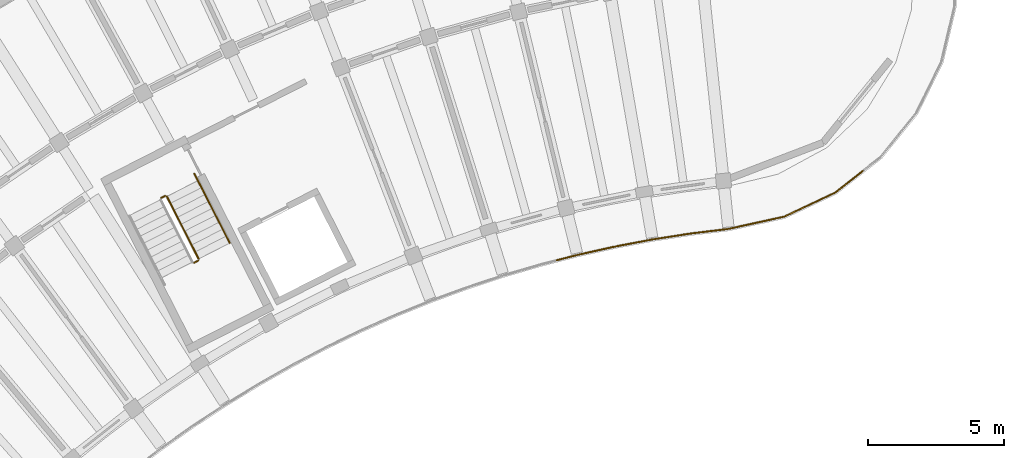
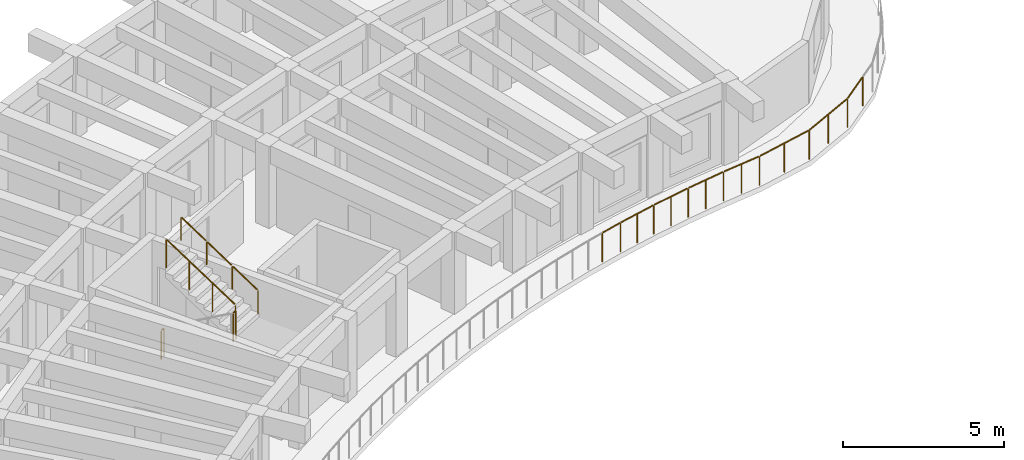
# One storey, part 72 of 81: 8 railings.
"""IFC4 building model written with IfcOpenShell, lengths in metres."""

from ifc_helpers import new_model, si_unit, direction, frame, origin, origin_2d, place, context, subcontext, project, spatial, circle, extrude, material, type_object, element, save


model = new_model("IFC4")

# Units and contexts
model_context = context("Model", 3, precision=1e-05, world=origin(), true_north=direction((0.0, 1.0)))
body_context = subcontext(model_context, "Body", "Model", "MODEL_VIEW")
ifc_project = project(units=[si_unit("LENGTHUNIT", "METRE"), si_unit("AREAUNIT", "SQUARE_METRE"), si_unit("VOLUMEUNIT", "CUBIC_METRE"), si_unit("PLANEANGLEUNIT", "RADIAN"), si_unit("MASSUNIT", "GRAM", prefix="KILO")], contexts=[model_context])

# Site, building, storey
site_placement = place(None, origin())
site = spatial("IfcSite", under=ifc_project, at=site_placement, CompositionType="ELEMENT")
building_placement = place(site_placement, origin())
building = spatial("IfcBuilding", under=site, at=building_placement, Name="Tanwirah Colonnade Gardens", CompositionType="ELEMENT")
storey_placement = place(building_placement, frame((0.0, 0.0, 8.840087890625)))
storey = spatial("IfcBuildingStorey", under=building, at=storey_placement, Name="L02", CompositionType="ELEMENT", Elevation=8.840087890625)

# Railings
ifc_material_1 = material(Name="Precast concrete C40/50", Category="concrete")
railing_type_1 = type_object("IfcRailingType", Name="BAL-EXT112", PredefinedType="BALUSTRADE", material=ifc_material_1)
railing_1_placement = place(storey_placement, frame((62.57666015625, 103.095947265625, 0.0)))
element("IfcRailing", 1, at=railing_1_placement, inside=storey, type_object=railing_type_1, Name="Block A L02 Balcony Ribbon Balustrade 1", PredefinedType="BALUSTRADE", context=body_context, shape_type="SweptSolid", body=[
    extrude(circle(Radius=0.02392578125, at=origin_2d()), frame((-0.030517578125, -0.0068359375, 1.09619140625), z_axis=(-0.976545428659, -0.215311462222, 0.0), x_axis=(0.215311462222, -0.976545428659, 0.0)), (0.0, 0.0, 1.0), 2.029541015625),
    extrude(circle(Radius=0.02392578125, at=origin_2d()), frame((-2.073974609375, -0.4541015625, 1.09619140625), z_axis=(-0.99267751715, -0.120794647829, 0.0), x_axis=(0.120794647829, -0.99267751715, 0.0)), (0.0, 0.0, 1.0), 1.338134765625),
    extrude(circle(Radius=0.02392578125, at=origin_2d()), frame((-3.466796875, -0.625, 1.09619140625), z_axis=(-0.988147546762, -0.153507087226, 0.0), x_axis=(0.153507087226, -0.988147546762, 0.0)), (0.0, 0.0, 1.0), 1.341796875),
    extrude(circle(Radius=0.02392578125, at=origin_2d()), frame((-4.85693359375, -0.842041015625, 1.09619140625), z_axis=(-0.982547926195, -0.186009603862, 0.0), x_axis=(0.186009603862, -0.982547926195, 0.0)), (0.0, 0.0, 1.0), 1.341796875),
    extrude(circle(Radius=0.02392578125, at=origin_2d()), frame((-6.239013671875, -1.104736328125, 1.09619140625), z_axis=(-0.975875211082, -0.218329046156, 0.0), x_axis=(0.218329046156, -0.975875211082, 0.0)), (0.0, 0.0, 1.0), 1.342041015625),
    extrude(circle(Radius=0.02392578125, at=origin_2d()), frame((-7.61181640625, -1.4130859375, 1.09619140625), z_axis=(-0.968150815957, -0.25036772468, 0.0), x_axis=(0.25036772468, -0.968150815957, 0.0)), (0.0, 0.0, 1.0), 0.721435546875),
    extrude(circle(Radius=0.02099609375, at=origin_2d()), origin(), (0.0, 0.0, 1.0), 1.069091796875),
    extrude(circle(Radius=0.02099609375, at=origin_2d()), frame((-1.021484375, -0.22509765625, 0.0)), (0.0, 0.0, 1.0), 1.069091796875),
    extrude(circle(Radius=0.02099609375, at=origin_2d()), frame((-2.04296875, -0.450439453125, 0.0)), (0.0, 0.0, 1.0), 1.069091796875),
    extrude(circle(Radius=0.02099609375, at=origin_2d()), frame((-2.73828125, -0.53515625, 0.0)), (0.0, 0.0, 1.0), 1.069091796875),
    extrude(circle(Radius=0.02099609375, at=origin_2d()), frame((-3.433349609375, -0.61962890625, 0.0)), (0.0, 0.0, 1.0), 1.069091796875),
    extrude(circle(Radius=0.02099609375, at=origin_2d()), frame((-4.129638671875, -0.72802734375, 0.0)), (0.0, 0.0, 1.0), 1.069091796875),
    extrude(circle(Radius=0.02099609375, at=origin_2d()), frame((-4.823486328125, -0.835693359375, 0.0)), (0.0, 0.0, 1.0), 1.069091796875),
    extrude(circle(Radius=0.02099609375, at=origin_2d()), frame((-5.51611328125, -0.966796875, 0.0)), (0.0, 0.0, 1.0), 1.069091796875),
    extrude(circle(Radius=0.02099609375, at=origin_2d()), frame((-6.2060546875, -1.097412109375, 0.0)), (0.0, 0.0, 1.0), 1.069091796875),
    extrude(circle(Radius=0.02099609375, at=origin_2d()), frame((-6.893798828125, -1.251220703125, 0.0)), (0.0, 0.0, 1.0), 1.069091796875),
    extrude(circle(Radius=0.02099609375, at=origin_2d()), frame((-7.5791015625, -1.404541015625, 0.0)), (0.0, 0.0, 1.0), 1.069091796875),
    extrude(circle(Radius=0.02099609375, at=origin_2d()), frame((-8.340576171875, -1.6015625, 0.0)), (0.0, 0.0, 1.0), 1.069091796875),
])
railing_2_placement = place(storey_placement, frame((65.462890625, 104.77197265625, 0.0)))
element("IfcRailing", 2, at=railing_2_placement, inside=storey, type_object=railing_type_1, Name="Block A L02 Balcony Ribbon Balustrade 22", PredefinedType="BALUSTRADE", context=body_context, shape_type="SweptSolid", body=[
    extrude(circle(Radius=0.02392578125, at=origin_2d()), frame((-0.024658203125, -0.019287109375, 1.09619140625), z_axis=(-0.786498338908, -0.617592392194, 0.0), x_axis=(0.617592392194, -0.786498338908, 0.0)), (0.0, 0.0, 1.0), 1.2080078125),
    extrude(circle(Radius=0.02392578125, at=origin_2d()), frame((-1.027587890625, -0.798095703125, 1.09619140625), z_axis=(-0.904194685142, -0.427120558346, 0.0), x_axis=(0.427120558346, -0.904194685142, 0.0)), (0.0, 0.0, 1.0), 2.0244140625),
    extrude(circle(Radius=0.02099609375, at=origin_2d()), origin(), (0.0, 0.0, 1.0), 1.069091796875),
    extrude(circle(Radius=0.02099609375, at=origin_2d()), frame((-0.999267578125, -0.78466796875, 0.0)), (0.0, 0.0, 1.0), 1.069091796875),
    extrude(circle(Radius=0.02099609375, at=origin_2d()), frame((-1.94287109375, -1.23046875, 0.0)), (0.0, 0.0, 1.0), 1.069091796875),
    extrude(circle(Radius=0.02099609375, at=origin_2d()), frame((-2.88623046875, -1.676025390625, 0.0)), (0.0, 0.0, 1.0), 1.069091796875),
])
ifc_material_2 = material(Name="Powder-coated galvanized steel", Category="steel")
railing_type_2 = type_object("IfcRailingType", Name="GRD-ST110", PredefinedType="GUARDRAIL", material=ifc_material_2)
railing_3_placement = place(storey_placement, frame((40.95068359375, 101.408203125, 1.679931640625)))
element("IfcRailing", 3, at=railing_3_placement, inside=storey, type_object=railing_type_2, Name="L02 ST-A1 stair guard 2", PredefinedType="GUARDRAIL", context=body_context, shape_type="SweptSolid", body=[
    extrude(circle(Radius=0.02392578125, at=origin_2d()), frame((0.02783203125, 0.01416015625, 1.076171875), z_axis=(0.89073666619, 0.4545197372, 0.0), x_axis=(-0.4545197372, 0.89073666619, 0.0)), (0.0, 0.0, 1.0), 0.09765625),
    extrude(circle(Radius=0.02099609375, at=origin_2d()), origin(), (0.0, 0.0, 1.0), 1.049072265625),
    extrude(circle(Radius=0.02099609375, at=origin_2d()), frame((0.142578125, 0.07275390625, 0.0)), (0.0, 0.0, 1.0), 1.049072265625),
])
railing_4_placement = place(storey_placement, frame((41.114990234375, 101.548095703125, 1.847900390625)))
element("IfcRailing", 4, at=railing_4_placement, inside=storey, type_object=railing_type_2, Name="L02 ST-A1 stair guard 3", PredefinedType="GUARDRAIL", context=body_context, shape_type="SweptSolid", body=[
    extrude(circle(Radius=0.02392578125, at=origin_2d()), frame((-0.01220703125, 0.02392578125, 1.092041015625), z_axis=(-0.3911222872, 0.767567239095, 0.507803003067), x_axis=(-0.890993730975, -0.45401560696, 0.0)), (0.0, 0.0, 1.0), 2.9150390625),
    extrude(circle(Radius=0.02099609375, at=origin_2d()), origin(), (0.0, 0.0, 1.0), 1.049072265625),
    extrude(circle(Radius=0.02099609375, at=origin_2d()), frame((-0.38818359375, 0.76171875, 0.50390625)), (0.0, 0.0, 1.0), 1.049072265625),
    extrude(circle(Radius=0.02099609375, at=origin_2d()), frame((-0.7763671875, 1.523681640625, 1.008056640625)), (0.0, 0.0, 1.0), 1.049072265625),
    extrude(circle(Radius=0.02099609375, at=origin_2d()), frame((-1.16455078125, 2.285400390625, 1.511962890625)), (0.0, 0.0, 1.0), 1.049072265625),
])
railing_5_placement = place(storey_placement, frame((39.74072265625, 103.78271484375, 0.0)))
element("IfcRailing", 5, at=railing_5_placement, inside=storey, type_object=railing_type_2, Name="L02 ST-A1 stair guard 4", PredefinedType="GUARDRAIL", context=body_context, shape_type="SweptSolid", body=[
    extrude(circle(Radius=0.02392578125, at=origin_2d()), frame((0.02783203125, 0.01416015625, 1.076171875), z_axis=(0.89073666619, 0.4545197372, 0.0), x_axis=(-0.4545197372, 0.89073666619, 0.0)), (0.0, 0.0, 1.0), 0.09765625),
    extrude(circle(Radius=0.02099609375, at=origin_2d()), origin(), (0.0, 0.0, 1.0), 1.049072265625),
    extrude(circle(Radius=0.02099609375, at=origin_2d()), frame((0.142578125, 0.07275390625, 0.0)), (0.0, 0.0, 1.0), 1.049072265625),
])
ifc_material_3 = material(Name="Brushed bronze stainless steel", Category="steel")
railing_type_3 = type_object("IfcRailingType", Name="HR-ST090", PredefinedType="HANDRAIL", material=ifc_material_3)
railing_6_placement = place(storey_placement, frame((42.255615234375, 102.129150390625, 1.847900390625)))
element("IfcRailing", 6, at=railing_6_placement, inside=storey, type_object=railing_type_3, Name="L02 ST-A1 stair handrail 4", PredefinedType="HANDRAIL", context=body_context, shape_type="SweptSolid", body=[
    extrude(circle(Radius=0.02392578125, at=origin_2d()), frame((-0.01220703125, 0.02392578125, 0.891845703125), z_axis=(-0.390117538533, 0.765442844423, 0.51176709356), x_axis=(-0.890957114254, -0.454087459154, 0.0)), (0.0, 0.0, 1.0), 1.043212890625),
    extrude(circle(Radius=0.02099609375, at=origin_2d()), origin(), (0.0, 0.0, 1.0), 0.848876953125),
    extrude(circle(Radius=0.02099609375, at=origin_2d()), frame((-0.431396484375, 0.846435546875, 0.56591796875)), (0.0, 0.0, 1.0), 0.848876953125),
])
railing_7_placement = place(storey_placement, frame((41.82421875, 102.9755859375, 2.413818359375)))
element("IfcRailing", 7, at=railing_7_placement, inside=storey, type_object=railing_type_3, Name="L02 ST-A1 stair handrail 5", PredefinedType="HANDRAIL", context=body_context, shape_type="SweptSolid", body=[
    extrude(circle(Radius=0.02392578125, at=origin_2d()), frame((-0.01220703125, 0.02392578125, 0.891845703125), z_axis=(-0.390007559961, 0.765447774728, 0.511843537946), x_axis=(-0.891010084603, -0.453983511965, 0.0)), (0.0, 0.0, 1.0), 1.043701171875),
    extrude(circle(Radius=0.02099609375, at=origin_2d()), origin(), (0.0, 0.0, 1.0), 0.848876953125),
    extrude(circle(Radius=0.02099609375, at=origin_2d()), frame((-0.431396484375, 0.8466796875, 0.566162109375)), (0.0, 0.0, 1.0), 0.848876953125),
])
railing_8_placement = place(storey_placement, frame((41.392822265625, 103.822265625, 2.97998046875)))
element("IfcRailing", 8, at=railing_8_placement, inside=storey, type_object=railing_type_3, Name="L02 ST-A1 stair handrail 6", PredefinedType="HANDRAIL", context=body_context, shape_type="SweptSolid", body=[
    extrude(circle(Radius=0.02392578125, at=origin_2d()), frame((-0.01220703125, 0.02392578125, 0.891845703125), z_axis=(-0.38993033558, 0.765508761867, 0.511811165275), x_axis=(-0.891061070925, -0.453883429839, 0.0)), (0.0, 0.0, 1.0), 1.043212890625),
    extrude(circle(Radius=0.02099609375, at=origin_2d()), origin(), (0.0, 0.0, 1.0), 0.848876953125),
    extrude(circle(Radius=0.02099609375, at=origin_2d()), frame((-0.43115234375, 0.846435546875, 0.56591796875)), (0.0, 0.0, 1.0), 0.848876953125),
])

save(model, "model.ifc")
